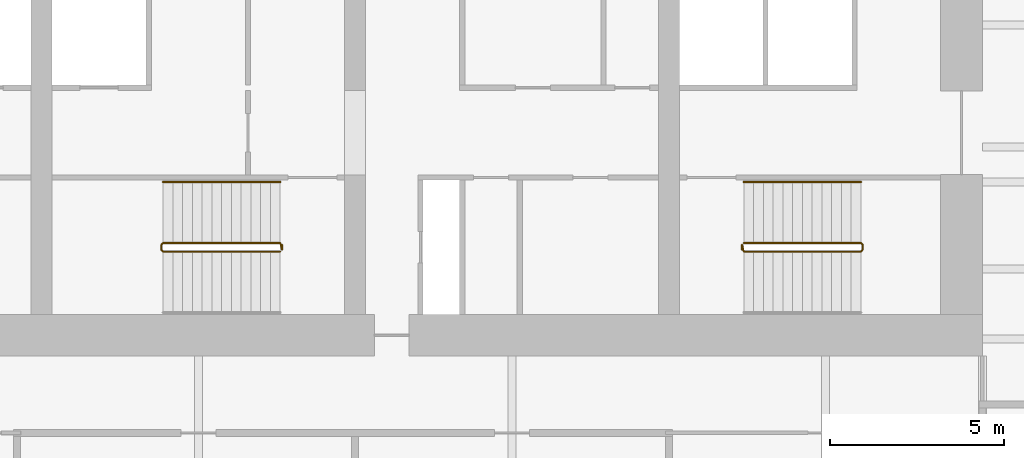
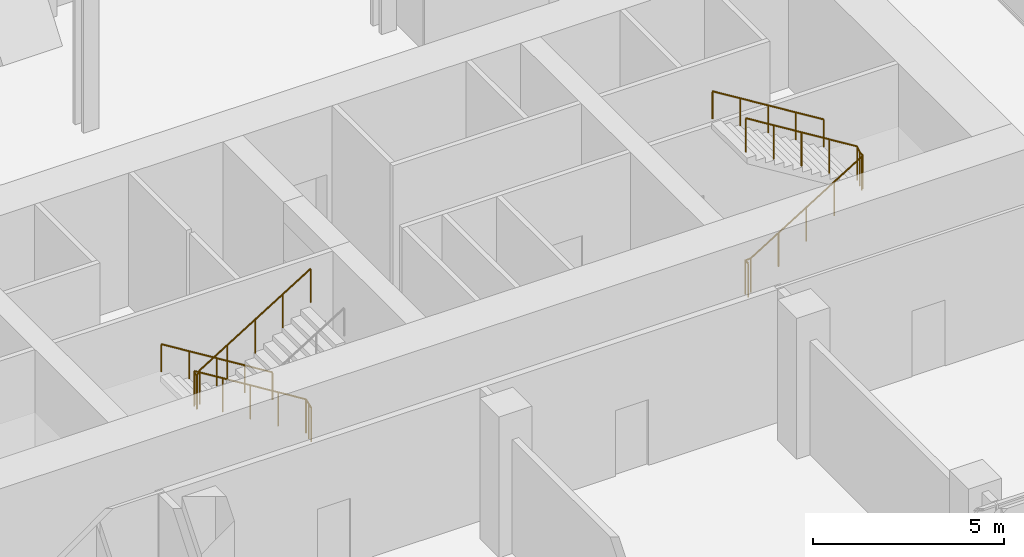
# One storey, part 21 of 26: 4 railings.
"""IFC4 building model written with IfcOpenShell, lengths in metres."""

import ifcopenshell
import ifcopenshell.guid

model = None  # the IFC model being written
_history = None  # IfcOwnerHistory: only IFC2X3 demands one
_inside = {}  # id of a spatial element -> (the spatial element, [elements in it])
_under = {}  # id of a project, library or spatial element -> (it, [spatial elements below it])
_declared = {}  # id of a project -> (the project, [libraries it declares])
_typed = {}  # id of a type object -> (the type object, [elements of that type])
_made_of = {}  # id of a material, layer set ... -> (it, [elements and type objects made of it])


def new_model(schema):
    """Start an empty IFC model of exactly this schema.

    Asked for "IFC4X3", IfcOpenShell would pick the latest addendum, in which some entities
    have other attributes; the version numbers below select the first issue.
    IFC2X3 requires an IfcOwnerHistory on every rooted entity: one is made here for all.
    """
    global model, _history
    if schema == "IFC4X3":
        model = ifcopenshell.file(schema_version=(4, 3, 0, 0))
    else:
        model = ifcopenshell.file(schema=schema)
    _inside.clear()
    _under.clear()
    _declared.clear()
    _typed.clear()
    _made_of.clear()
    _history = None
    if model.schema == "IFC2X3":
        org = make("IfcOrganization", Name="unknown")
        user = make(
            "IfcPersonAndOrganization",
            ThePerson=make("IfcPerson", FamilyName="unknown"),
            TheOrganization=org,
        )
        app = make(
            "IfcApplication",
            ApplicationDeveloper=org,
            Version="unknown",
            ApplicationFullName="unknown",
            ApplicationIdentifier="unknown",
        )
        _history = make(
            "IfcOwnerHistory",
            OwningUser=user,
            OwningApplication=app,
            ChangeAction="ADDED",
            CreationDate=0,
        )
    return model


def make(cls, **values):
    """One entity of the class cls with the attributes given. An attribute that is None is left unset."""
    return model.create_entity(
        cls, **{name: value for name, value in values.items() if value is not None}
    )


def rooted(cls, **values):
    """An entity with a GlobalId (a new one), such as an element, a storey or a relation."""
    return make(cls, GlobalId=ifcopenshell.guid.new(), OwnerHistory=_history, **values)


def si_unit(unit_type, name, prefix=None):
    """IfcSIUnit, for example si_unit("LENGTHUNIT", "METRE", prefix="MILLI")."""
    return make("IfcSIUnit", UnitType=unit_type, Prefix=prefix, Name=name)


def assignment(units):
    """IfcUnitAssignment: the units of a project."""
    return None if units is None else make("IfcUnitAssignment", Units=units)


def point(xyz):
    """IfcCartesianPoint."""
    return None if xyz is None else make("IfcCartesianPoint", Coordinates=xyz)


def direction(xyz):
    """IfcDirection."""
    return None if xyz is None else make("IfcDirection", DirectionRatios=xyz)


def frame(location, z_axis=None, x_axis=None):
    """IfcAxis2Placement3D, a coordinate frame: its origin and axes. An axis left out is left unset."""
    return make(
        "IfcAxis2Placement3D",
        Location=point(location),
        Axis=direction(z_axis),
        RefDirection=direction(x_axis),
    )


def frame_2d(location, x_axis=None):
    """IfcAxis2Placement2D, a coordinate frame in the plane: its origin and x axis."""
    return make(
        "IfcAxis2Placement2D", Location=point(location), RefDirection=direction(x_axis)
    )


def origin():
    """The frame at (0, 0, 0) with its axes left unset."""
    return frame((0.0, 0.0, 0.0))


def origin_2d():
    """The frame at (0, 0) in the plane with its x axis left unset."""
    return frame_2d((0.0, 0.0))


def place(relative_to, where):
    """IfcLocalPlacement: puts the frame where relative to a parent placement (None: the world)."""
    return make(
        "IfcLocalPlacement", PlacementRelTo=relative_to, RelativePlacement=where
    )


def context(
    kind, dimensions, precision=None, world=None, true_north=None, identifier=None
):
    """IfcGeometricRepresentationContext, for example the 3D "Model" context."""
    return make(
        "IfcGeometricRepresentationContext",
        ContextIdentifier=identifier,
        ContextType=kind,
        CoordinateSpaceDimension=dimensions,
        Precision=precision,
        WorldCoordinateSystem=world,
        TrueNorth=true_north,
    )


def subcontext(parent, identifier, kind, view, scale=None):
    """IfcGeometricRepresentationSubContext, for example "Body" below "Model"."""
    return make(
        "IfcGeometricRepresentationSubContext",
        ContextIdentifier=identifier,
        ContextType=kind,
        ParentContext=parent,
        TargetScale=scale,
        TargetView=view,
    )


def project(units=None, contexts=None):
    """IfcProject with its units and contexts."""
    return rooted(
        "IfcProject",
        Name="project",
        RepresentationContexts=contexts,
        UnitsInContext=assignment(units),
    )


def spatial(cls, under=None, at=None, **own):
    """A site, building, storey or space (cls), placed at a placement, below another one or the project."""
    s = rooted(cls, ObjectPlacement=at, **own)
    if under is not None:
        _under.setdefault(under.id(), (under, []))[1].append(s)
    return s


def profile(cls, at=None, kind="AREA", **sizes):
    """A parametric profile (cls). Its sizes go by their IFC names, for example OverallWidth=200.0."""
    return make(cls, ProfileType=kind, Position=at, **sizes)


def circle(**sizes):
    """IfcCircleProfileDef."""
    return profile("IfcCircleProfileDef", **sizes)


def extrude(swept, where, along, depth):
    """IfcExtrudedAreaSolid: the profile swept, set in the frame where, extruded along a direction by depth."""
    return make(
        "IfcExtrudedAreaSolid",
        SweptArea=swept,
        Position=where,
        ExtrudedDirection=direction(along),
        Depth=depth,
    )


def shape(context_of_items, identifier, shape_type, items):
    """IfcShapeRepresentation: the items that make up one representation, for example the "Body"."""
    return make(
        "IfcShapeRepresentation",
        ContextOfItems=context_of_items,
        RepresentationIdentifier=identifier,
        RepresentationType=shape_type,
        Items=items,
    )


def material(Name=None, Category=None):
    """IfcMaterial."""
    return make("IfcMaterial", Name=Name, Category=Category)


def made_of(thing, what):
    """Note that an element or type object is made of a material, layer set ...; save() writes the relation."""
    if what is not None:
        _made_of.setdefault(what.id(), (what, []))[1].append(thing)
    return thing


def type_object(cls, material=None, **own):
    """A type object (cls), such as IfcWallType, which elements share."""
    return made_of(rooted(cls, **own), material)


def element(
    cls,
    number,
    at=None,
    inside=None,
    cuts=None,
    type_object=None,
    material=None,
    context=None,
    identifier="Body",
    shape_type=None,
    held_by="IfcProductDefinitionShape",
    body=None,
    shapes=None,
    **own,
):
    """One element of the class cls, such as IfcWall. Its Tag is "e" and its number.

    at: its placement. inside: the storey or other place that contains it. cuts: it is an
    opening in that element (IfcRelVoidsElement). A single representation is given by context,
    identifier, shape_type and body (its items); several are given by shapes. held_by: the class
    of the entity that holds the representations. save() writes the other relations.
    """
    e = rooted(cls, Tag="e%d" % number, ObjectPlacement=at, **own)
    if body is not None:
        shapes = [shape(context, identifier, shape_type, body)]
    if shapes is not None:
        e.Representation = make(held_by, Representations=shapes)
    if inside is not None:
        _inside.setdefault(inside.id(), (inside, []))[1].append(e)
    if cuts is not None:
        rooted(
            "IfcRelVoidsElement", RelatingBuildingElement=cuts, RelatedOpeningElement=e
        )
    if type_object is not None:
        _typed.setdefault(type_object.id(), (type_object, []))[1].append(e)
    return made_of(e, material)


def aggregate(whole, parts):
    """IfcRelAggregates: a whole, such as a stair, and the parts it consists of."""
    return rooted("IfcRelAggregates", RelatingObject=whole, RelatedObjects=parts)


def save(model, path):
    """Write the relations noted so far, then the file.

    IfcRelAggregates (storeys below a building ...), IfcRelContainedInSpatialStructure (elements
    in a storey), IfcRelDefinesByType, IfcRelAssociatesMaterial and IfcRelDeclares: one each for
    every whole, place, type object, material and project.
    """
    for whole, parts in _under.values():
        aggregate(whole, parts)
    for where, things in _inside.values():
        rooted(
            "IfcRelContainedInSpatialStructure",
            RelatedElements=things,
            RelatingStructure=where,
        )
    for kind, things in _typed.values():
        rooted("IfcRelDefinesByType", RelatedObjects=things, RelatingType=kind)
    for what, things in _made_of.values():
        rooted("IfcRelAssociatesMaterial", RelatedObjects=things, RelatingMaterial=what)
    for by, libraries in _declared.values():
        rooted("IfcRelDeclares", RelatingContext=by, RelatedDefinitions=libraries)
    model.write(path)


model = new_model("IFC4")

# Units and contexts
model_context = context("Model", 3, precision=1e-05, world=origin(), true_north=direction((0.0, 1.0)))
body_context = subcontext(model_context, "Body", "Model", "MODEL_VIEW")
ifc_project = project(units=[si_unit("LENGTHUNIT", "METRE"), si_unit("AREAUNIT", "SQUARE_METRE"), si_unit("VOLUMEUNIT", "CUBIC_METRE"), si_unit("PLANEANGLEUNIT", "RADIAN"), si_unit("MASSUNIT", "GRAM", prefix="KILO")], contexts=[model_context])

# Site, building, storey
site_placement = place(None, origin())
site = spatial("IfcSite", under=ifc_project, at=site_placement, CompositionType="ELEMENT")
building_placement = place(site_placement, origin())
building = spatial("IfcBuilding", under=site, at=building_placement, Name="Zellij Exchange Tower", CompositionType="ELEMENT")
storey_placement = place(building_placement, frame((0.0, 0.0, 39.0)))
storey = spatial("IfcBuildingStorey", under=building, at=storey_placement, Name="L06", CompositionType="ELEMENT", Elevation=39.0)

# Railings
ifc_material = material(Name="Stainless steel", Category="steel")
railing_type_1 = type_object("IfcRailingType", Name="CORE-RG stair guard", PredefinedType="GUARDRAIL", material=ifc_material)
railing_1_placement = place(storey_placement, frame((6.89990234375, -10.800048828125, 0.0)))
element("IfcRailing", 1, at=railing_1_placement, inside=storey, type_object=railing_type_1, Name="ST3 stair guard L06", PredefinedType="GUARDRAIL", context=body_context, shape_type="SweptSolid", body=[
    extrude(circle(Radius=0.02392578125, at=origin_2d()), frame((0.0, 0.0, 1.076171875), z_axis=(0.0, -1.0, 0.0), x_axis=(1.0, 0.0, 0.0)), (0.0, 0.0, 1.0), 0.14990234375),
    extrude(circle(Radius=0.02392578125, at=origin_2d()), frame((0.0, -0.14990234375, 1.076171875), z_axis=(-0.185068141132, 0.742994154839, 0.643202510111), x_axis=(-0.970351222016, -0.241699205484, 0.0)), (0.0, 0.0, 1.0), 0.26904296875),
    extrude(circle(Radius=0.02392578125, at=origin_2d()), frame((-0.0498046875, 0.050048828125, 1.2490234375), z_axis=(-0.850623216509, 0.0, 0.525775754039), x_axis=(0.0, -1.0, 0.0)), (0.0, 0.0, 1.0), 3.9501953125),
    extrude(circle(Radius=0.02392578125, at=origin_2d()), frame((-3.409912109375, 0.050048828125, 3.326171875), z_axis=(-0.707106781187, -0.707106781187, 0.0), x_axis=(0.707106781187, -0.707106781187, 0.0)), (0.0, 0.0, 1.0), 0.07080078125),
    extrude(circle(Radius=0.02392578125, at=origin_2d()), frame((-3.4599609375, 0.0, 3.326171875), z_axis=(0.0, -1.0, 0.0), x_axis=(1.0, 0.0, 0.0)), (0.0, 0.0, 1.0), 0.14990234375),
    extrude(circle(Radius=0.02392578125, at=origin_2d()), frame((-3.4599609375, -0.14990234375, 3.326171875), z_axis=(0.267629722418, -0.267629722418, 0.925607186314), x_axis=(0.707106781187, 0.707106781187, 0.0)), (0.0, 0.0, 1.0), 0.18701171875),
    extrude(circle(Radius=0.02392578125, at=origin_2d()), frame((-3.409912109375, -0.199951171875, 3.4990234375), z_axis=(0.850623216509, 0.0, 0.525775754039), x_axis=(0.0, 1.0, 0.0)), (0.0, 0.0, 1.0), 3.9501953125),
    extrude(circle(Radius=0.02099609375, at=origin_2d()), origin(), (0.0, 0.0, 1.0), 1.052001953125),
    extrude(circle(Radius=0.02099609375, at=origin_2d()), frame((0.0, -0.14990234375, 0.0)), (0.0, 0.0, 1.0), 1.052001953125),
    extrude(circle(Radius=0.02099609375, at=origin_2d()), frame((-0.0498046875, 0.050048828125, 0.173095703125)), (0.0, 0.0, 1.0), 1.052001953125),
    extrude(circle(Radius=0.02099609375, at=origin_2d()), frame((-0.889892578125, 0.050048828125, 0.6923828125)), (0.0, 0.0, 1.0), 1.052001953125),
    extrude(circle(Radius=0.02099609375, at=origin_2d()), frame((-1.72998046875, 0.050048828125, 1.21142578125)), (0.0, 0.0, 1.0), 1.052001953125),
    extrude(circle(Radius=0.02099609375, at=origin_2d()), frame((-2.56982421875, 0.050048828125, 1.730712890625)), (0.0, 0.0, 1.0), 1.052001953125),
    extrude(circle(Radius=0.02099609375, at=origin_2d()), frame((-3.409912109375, 0.050048828125, 2.25)), (0.0, 0.0, 1.0), 1.052001953125),
    extrude(circle(Radius=0.02099609375, at=origin_2d()), frame((-3.4599609375, 0.0, 2.25)), (0.0, 0.0, 1.0), 1.052001953125),
    extrude(circle(Radius=0.02099609375, at=origin_2d()), frame((-3.4599609375, -0.14990234375, 2.25)), (0.0, 0.0, 1.0), 1.052001953125),
    extrude(circle(Radius=0.02099609375, at=origin_2d()), frame((-3.409912109375, -0.199951171875, 2.423095703125)), (0.0, 0.0, 1.0), 1.052001953125),
    extrude(circle(Radius=0.02099609375, at=origin_2d()), frame((-2.56982421875, -0.199951171875, 2.9423828125)), (0.0, 0.0, 1.0), 1.052001953125),
    extrude(circle(Radius=0.02099609375, at=origin_2d()), frame((-1.72998046875, -0.199951171875, 3.46142578125)), (0.0, 0.0, 1.0), 1.052001953125),
    extrude(circle(Radius=0.02099609375, at=origin_2d()), frame((-0.889892578125, -0.199951171875, 3.980712890625)), (0.0, 0.0, 1.0), 1.052001953125),
    extrude(circle(Radius=0.02099609375, at=origin_2d()), frame((-0.0498046875, -0.199951171875, 4.5)), (0.0, 0.0, 1.0), 1.052001953125),
])
railing_2_placement = place(storey_placement, frame((20.10009765625, -10.949951171875, 0.0)))
element("IfcRailing", 2, at=railing_2_placement, inside=storey, type_object=railing_type_1, Name="ST4 stair guard L06", PredefinedType="GUARDRAIL", context=body_context, shape_type="SweptSolid", body=[
    extrude(circle(Radius=0.02392578125, at=origin_2d()), frame((0.0, 0.0, 1.076171875), z_axis=(0.0, 1.0, 0.0), x_axis=(-1.0, 0.0, 0.0)), (0.0, 0.0, 1.0), 0.14990234375),
    extrude(circle(Radius=0.02392578125, at=origin_2d()), frame((0.0, 0.14990234375, 1.076171875), z_axis=(0.185068141132, -0.742994154839, 0.643202510111), x_axis=(0.970351222016, 0.241699205484, 0.0)), (0.0, 0.0, 1.0), 0.26904296875),
    extrude(circle(Radius=0.02392578125, at=origin_2d()), frame((0.0498046875, -0.050048828125, 1.2490234375), z_axis=(0.850623216509, 0.0, 0.525775754039), x_axis=(0.0, 1.0, 0.0)), (0.0, 0.0, 1.0), 3.9501953125),
    extrude(circle(Radius=0.02392578125, at=origin_2d()), frame((3.409912109375, -0.050048828125, 3.326171875), z_axis=(0.707106781187, 0.707106781187, 0.0), x_axis=(-0.707106781187, 0.707106781187, 0.0)), (0.0, 0.0, 1.0), 0.07080078125),
    extrude(circle(Radius=0.02392578125, at=origin_2d()), frame((3.4599609375, 0.0, 3.326171875), z_axis=(0.0, 1.0, 0.0), x_axis=(-1.0, 0.0, 0.0)), (0.0, 0.0, 1.0), 0.14990234375),
    extrude(circle(Radius=0.02392578125, at=origin_2d()), frame((3.4599609375, 0.14990234375, 3.326171875), z_axis=(-0.267629722418, 0.267629722418, 0.925607186314), x_axis=(-0.707106781187, -0.707106781187, 0.0)), (0.0, 0.0, 1.0), 0.18701171875),
    extrude(circle(Radius=0.02392578125, at=origin_2d()), frame((3.409912109375, 0.199951171875, 3.4990234375), z_axis=(-0.850623216509, 0.0, 0.525775754039), x_axis=(0.0, -1.0, 0.0)), (0.0, 0.0, 1.0), 3.9501953125),
    extrude(circle(Radius=0.02099609375, at=origin_2d()), origin(), (0.0, 0.0, 1.0), 1.052001953125),
    extrude(circle(Radius=0.02099609375, at=origin_2d()), frame((0.0, 0.14990234375, 0.0)), (0.0, 0.0, 1.0), 1.052001953125),
    extrude(circle(Radius=0.02099609375, at=origin_2d()), frame((0.0498046875, -0.050048828125, 0.173095703125)), (0.0, 0.0, 1.0), 1.052001953125),
    extrude(circle(Radius=0.02099609375, at=origin_2d()), frame((0.889892578125, -0.050048828125, 0.6923828125)), (0.0, 0.0, 1.0), 1.052001953125),
    extrude(circle(Radius=0.02099609375, at=origin_2d()), frame((1.72998046875, -0.050048828125, 1.21142578125)), (0.0, 0.0, 1.0), 1.052001953125),
    extrude(circle(Radius=0.02099609375, at=origin_2d()), frame((2.56982421875, -0.050048828125, 1.730712890625)), (0.0, 0.0, 1.0), 1.052001953125),
    extrude(circle(Radius=0.02099609375, at=origin_2d()), frame((3.409912109375, -0.050048828125, 2.25)), (0.0, 0.0, 1.0), 1.052001953125),
    extrude(circle(Radius=0.02099609375, at=origin_2d()), frame((3.4599609375, 0.0, 2.25)), (0.0, 0.0, 1.0), 1.052001953125),
    extrude(circle(Radius=0.02099609375, at=origin_2d()), frame((3.4599609375, 0.14990234375, 2.25)), (0.0, 0.0, 1.0), 1.052001953125),
    extrude(circle(Radius=0.02099609375, at=origin_2d()), frame((3.409912109375, 0.199951171875, 2.423095703125)), (0.0, 0.0, 1.0), 1.052001953125),
    extrude(circle(Radius=0.02099609375, at=origin_2d()), frame((2.56982421875, 0.199951171875, 2.9423828125)), (0.0, 0.0, 1.0), 1.052001953125),
    extrude(circle(Radius=0.02099609375, at=origin_2d()), frame((1.72998046875, 0.199951171875, 3.46142578125)), (0.0, 0.0, 1.0), 1.052001953125),
    extrude(circle(Radius=0.02099609375, at=origin_2d()), frame((0.889892578125, 0.199951171875, 3.980712890625)), (0.0, 0.0, 1.0), 1.052001953125),
    extrude(circle(Radius=0.02099609375, at=origin_2d()), frame((0.0498046875, 0.199951171875, 4.5)), (0.0, 0.0, 1.0), 1.052001953125),
])
railing_type_2 = type_object("IfcRailingType", Name="CORE-RH stair handrail", PredefinedType="HANDRAIL", material=ifc_material)
for number, where, name in (
    (3, (6.85009765625, -9.0, 0.173095703125), "ST3 stair handrail L06"),
    (4, (23.510009765625, -9.0, 2.423095703125), "ST4 stair handrail L06"),
):
    element("IfcRailing", number, at=place(storey_placement, frame(where)), inside=storey, type_object=railing_type_2, Name=name, PredefinedType="HANDRAIL", context=body_context, shape_type="SweptSolid", body=[
        extrude(circle(Radius=0.02392578125, at=origin_2d()), frame((0.0, 0.0, 0.8759765625), z_axis=(-0.850623216509, 0.0, 0.525775754039), x_axis=(0.0, -1.0, 0.0)), (0.0, 0.0, 1.0), 3.9501953125),
        extrude(circle(Radius=0.02099609375, at=origin_2d()), origin(), (0.0, 0.0, 1.0), 0.851806640625),
        extrude(circle(Radius=0.02099609375, at=origin_2d()), frame((-0.840087890625, 0.0, 0.519287109375)), (0.0, 0.0, 1.0), 0.851806640625),
        extrude(circle(Radius=0.02099609375, at=origin_2d()), frame((-1.68017578125, 0.0, 1.03857421875)), (0.0, 0.0, 1.0), 0.851806640625),
        extrude(circle(Radius=0.02099609375, at=origin_2d()), frame((-2.52001953125, 0.0, 1.5576171875)), (0.0, 0.0, 1.0), 0.851806640625),
        extrude(circle(Radius=0.02099609375, at=origin_2d()), frame((-3.360107421875, 0.0, 2.076904296875)), (0.0, 0.0, 1.0), 0.851806640625),
    ])

save(model, "model.ifc")
